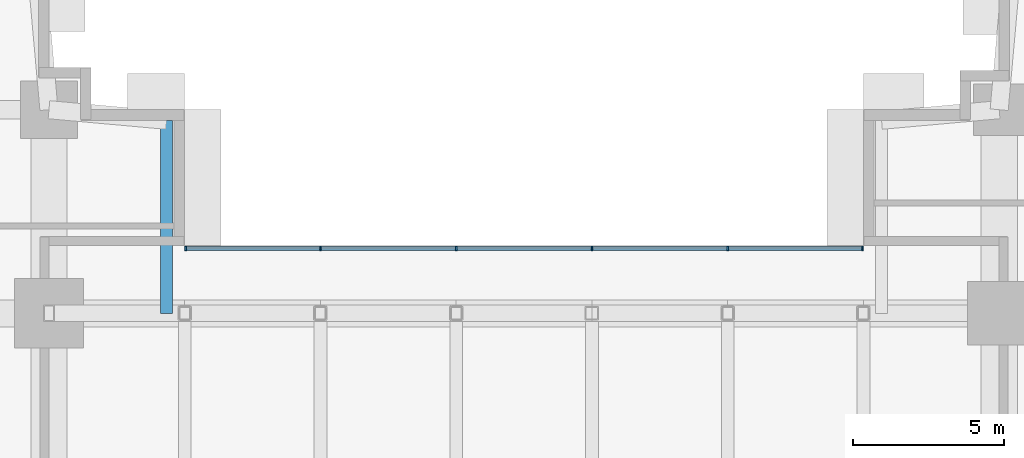
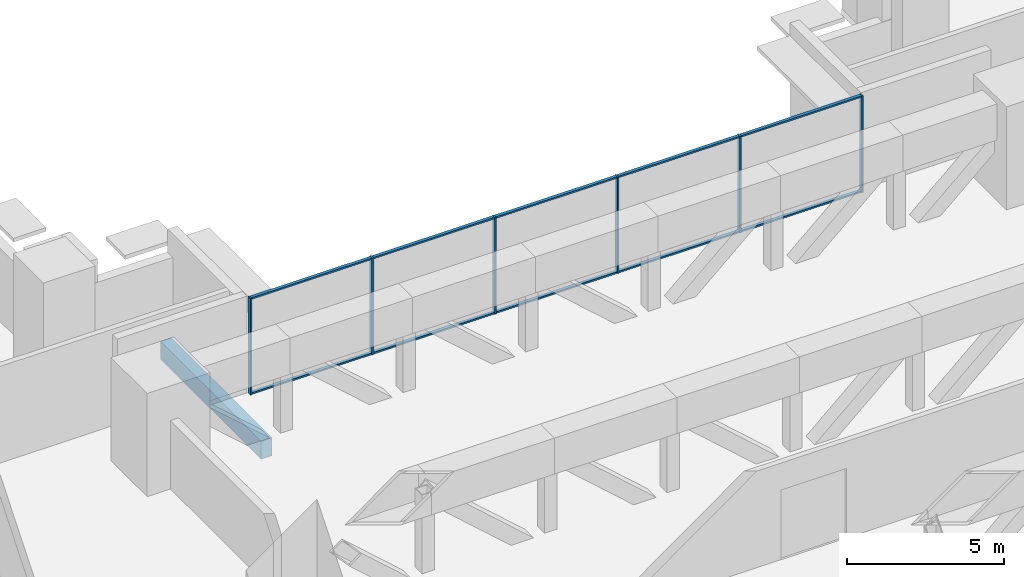
# One storey, part 4 of 15: 16 members, 1 beam, 1 element without a shape of its own.
"""IFC4 building model written with IfcOpenShell, lengths in metres."""

from ifc_helpers import new_model, si_unit, direction, frame, origin, origin_2d, place, context, subcontext, project, spatial, rectangle, extrude, material, layer, layer_set, material_profile, profile_set, type_object, element, aggregate, save


model = new_model("IFC4")

# Units and contexts
model_context = context("Model", 3, precision=1e-05, world=origin(), true_north=direction((0.0, 1.0)))
body_context = subcontext(model_context, "Body", "Model", "MODEL_VIEW")
ifc_project = project(units=[si_unit("LENGTHUNIT", "METRE"), si_unit("AREAUNIT", "SQUARE_METRE"), si_unit("VOLUMEUNIT", "CUBIC_METRE"), si_unit("PLANEANGLEUNIT", "RADIAN"), si_unit("MASSUNIT", "GRAM", prefix="KILO")], contexts=[model_context])

# Site, building, storey
site_placement = place(None, origin())
site = spatial("IfcSite", under=ifc_project, at=site_placement, CompositionType="ELEMENT")
building_placement = place(site_placement, origin())
building = spatial("IfcBuilding", under=site, at=building_placement, Name="Namib Vertical Campus", CompositionType="ELEMENT")
storey_placement = place(building_placement, frame((0.0, 0.0, 105.0)))
storey = spatial("IfcBuildingStorey", under=building, at=storey_placement, Name="L24", CompositionType="ELEMENT", Elevation=105.0)

# Curtain wall, members
ifc_material_1 = material(Name="Black aluminium curtain wall", Category="aluminium")
ifc_layer = layer(ifc_material_1, 0.199951171875)
ifc_layer_set = layer_set([ifc_layer], Name="Bridge curtain wall CW-BR")
curtain_wall_type = type_object("IfcCurtainWallType", Name="Bridge curtain wall CW-BR", PredefinedType="USERDEFINED", material=ifc_layer_set)
curtain_wall_placement = place(storey_placement, origin())
curtain_wall = element("IfcCurtainWall", 1, at=curtain_wall_placement, inside=storey, type_object=curtain_wall_type, Name="Curtain wall CW-BR L24 N", ObjectType="CURTAIN WALL", PredefinedType="USERDEFINED")
ifc_material_2 = material(Name="Black anodised aluminium", Category="aluminium")
ifc_material_profile_1 = material_profile(ifc_material_2, rectangle(XDim=0.06005859375, YDim=0.159912109375, at=origin_2d()))
ifc_profile_set_1 = profile_set([ifc_material_profile_1], Name="Black anodised aluminium")
member_type_1 = type_object("IfcMemberType", Name="Curtain wall mullion 60x160", PredefinedType="MULLION", material=ifc_profile_set_1)
member_1_placement = place(storey_placement, frame((62.969970703125, 31.39990234375, 0.0), z_axis=(0.0, 0.0, 1.0), x_axis=(-1.0, 0.0, 0.0)))
member_1 = element("IfcMember", 2, at=member_1_placement, type_object=member_type_1, Name="CW-BR mullion 1", PredefinedType="MULLION", context=body_context, shape_type="SweptSolid", body=[
    extrude(rectangle(XDim=0.06005859375, YDim=0.159912109375, at=origin_2d()), origin(), (0.0, 0.0, 1.0), 3.75),
])
member_2_placement = place(storey_placement, frame((58.5, 31.39990234375, 0.0), z_axis=(0.0, 0.0, 1.0), x_axis=(-1.0, 0.0, 0.0)))
member_2 = element("IfcMember", 3, at=member_2_placement, type_object=member_type_1, Name="CW-BR mullion 2", PredefinedType="MULLION", context=body_context, shape_type="SweptSolid", body=[
    extrude(rectangle(XDim=0.06005859375, YDim=0.159912109375, at=origin_2d()), origin(), (0.0, 0.0, 1.0), 3.75),
])
member_3_placement = place(storey_placement, frame((54.0, 31.39990234375, 0.0), z_axis=(0.0, 0.0, 1.0), x_axis=(-1.0, 0.0, 0.0)))
member_3 = element("IfcMember", 4, at=member_3_placement, type_object=member_type_1, Name="CW-BR mullion 3", PredefinedType="MULLION", context=body_context, shape_type="SweptSolid", body=[
    extrude(rectangle(XDim=0.06005859375, YDim=0.159912109375, at=origin_2d()), origin(), (0.0, 0.0, 1.0), 3.75),
])
member_4_placement = place(storey_placement, frame((49.5, 31.39990234375, 0.0), z_axis=(0.0, 0.0, 1.0), x_axis=(-1.0, 0.0, 0.0)))
member_4 = element("IfcMember", 5, at=member_4_placement, type_object=member_type_1, Name="CW-BR mullion 4", PredefinedType="MULLION", context=body_context, shape_type="SweptSolid", body=[
    extrude(rectangle(XDim=0.06005859375, YDim=0.159912109375, at=origin_2d()), origin(), (0.0, 0.0, 1.0), 3.75),
])
member_5_placement = place(storey_placement, frame((45.0, 31.39990234375, 0.0), z_axis=(0.0, 0.0, 1.0), x_axis=(-1.0, 0.0, 0.0)))
member_5 = element("IfcMember", 6, at=member_5_placement, type_object=member_type_1, Name="CW-BR mullion 5", PredefinedType="MULLION", context=body_context, shape_type="SweptSolid", body=[
    extrude(rectangle(XDim=0.06005859375, YDim=0.159912109375, at=origin_2d()), origin(), (0.0, 0.0, 1.0), 3.75),
])
member_6_placement = place(storey_placement, frame((40.530029296875, 31.39990234375, 0.0), z_axis=(0.0, 0.0, 1.0), x_axis=(-1.0, 0.0, 0.0)))
member_6 = element("IfcMember", 7, at=member_6_placement, type_object=member_type_1, Name="CW-BR mullion 6", PredefinedType="MULLION", context=body_context, shape_type="SweptSolid", body=[
    extrude(rectangle(XDim=0.06005859375, YDim=0.159912109375, at=origin_2d()), origin(), (0.0, 0.0, 1.0), 3.75),
])
ifc_material_3 = material(Name="Black anodised aluminium", Category="aluminium")
ifc_material_profile_2 = material_profile(ifc_material_3, rectangle(XDim=0.06005859375, YDim=0.1201171875, at=origin_2d()))
ifc_profile_set_2 = profile_set([ifc_material_profile_2], Name="Black anodised aluminium")
member_type_2 = type_object("IfcMemberType", Name="Curtain wall transom 60x120", PredefinedType="USERDEFINED", material=ifc_profile_set_2)
member_7_placement = place(storey_placement, frame((62.93994140625, 31.39990234375, 0.030029296875), z_axis=(-1.0, 0.0, 0.0), x_axis=(0.0, 0.0, 1.0)))
member_7 = element("IfcMember", 8, at=member_7_placement, type_object=member_type_2, Name="CW-BR transom 1.1", ObjectType="TRANSOM", PredefinedType="USERDEFINED", context=body_context, shape_type="SweptSolid", body=[
    extrude(rectangle(XDim=0.06005859375, YDim=0.1201171875, at=origin_2d()), origin(), (0.0, 0.0, 1.0), 4.409912109375),
])
member_8_placement = place(storey_placement, frame((62.93994140625, 31.39990234375, 3.719970703125), z_axis=(-1.0, 0.0, 0.0), x_axis=(0.0, 0.0, 1.0)))
member_8 = element("IfcMember", 9, at=member_8_placement, type_object=member_type_2, Name="CW-BR transom 1.2", ObjectType="TRANSOM", PredefinedType="USERDEFINED", context=body_context, shape_type="SweptSolid", body=[
    extrude(rectangle(XDim=0.06005859375, YDim=0.1201171875, at=origin_2d()), origin(), (0.0, 0.0, 1.0), 4.409912109375),
])
member_9_placement = place(storey_placement, frame((58.469970703125, 31.39990234375, 0.030029296875), z_axis=(-1.0, 0.0, 0.0), x_axis=(0.0, 0.0, 1.0)))
member_9 = element("IfcMember", 10, at=member_9_placement, type_object=member_type_2, Name="CW-BR transom 2.1", ObjectType="TRANSOM", PredefinedType="USERDEFINED", context=body_context, shape_type="SweptSolid", body=[
    extrude(rectangle(XDim=0.06005859375, YDim=0.1201171875, at=origin_2d()), origin(), (0.0, 0.0, 1.0), 4.43994140625),
])
member_10_placement = place(storey_placement, frame((58.469970703125, 31.39990234375, 3.719970703125), z_axis=(-1.0, 0.0, 0.0), x_axis=(0.0, 0.0, 1.0)))
member_10 = element("IfcMember", 11, at=member_10_placement, type_object=member_type_2, Name="CW-BR transom 2.2", ObjectType="TRANSOM", PredefinedType="USERDEFINED", context=body_context, shape_type="SweptSolid", body=[
    extrude(rectangle(XDim=0.06005859375, YDim=0.1201171875, at=origin_2d()), origin(), (0.0, 0.0, 1.0), 4.43994140625),
])
member_11_placement = place(storey_placement, frame((53.969970703125, 31.39990234375, 0.030029296875), z_axis=(-1.0, 0.0, 0.0), x_axis=(0.0, 0.0, 1.0)))
member_11 = element("IfcMember", 12, at=member_11_placement, type_object=member_type_2, Name="CW-BR transom 3.1", ObjectType="TRANSOM", PredefinedType="USERDEFINED", context=body_context, shape_type="SweptSolid", body=[
    extrude(rectangle(XDim=0.06005859375, YDim=0.1201171875, at=origin_2d()), origin(), (0.0, 0.0, 1.0), 4.43994140625),
])
member_12_placement = place(storey_placement, frame((53.969970703125, 31.39990234375, 3.719970703125), z_axis=(-1.0, 0.0, 0.0), x_axis=(0.0, 0.0, 1.0)))
member_12 = element("IfcMember", 13, at=member_12_placement, type_object=member_type_2, Name="CW-BR transom 3.2", ObjectType="TRANSOM", PredefinedType="USERDEFINED", context=body_context, shape_type="SweptSolid", body=[
    extrude(rectangle(XDim=0.06005859375, YDim=0.1201171875, at=origin_2d()), origin(), (0.0, 0.0, 1.0), 4.43994140625),
])
member_13_placement = place(storey_placement, frame((49.469970703125, 31.39990234375, 0.030029296875), z_axis=(-1.0, 0.0, 0.0), x_axis=(0.0, 0.0, 1.0)))
member_13 = element("IfcMember", 14, at=member_13_placement, type_object=member_type_2, Name="CW-BR transom 4.1", ObjectType="TRANSOM", PredefinedType="USERDEFINED", context=body_context, shape_type="SweptSolid", body=[
    extrude(rectangle(XDim=0.06005859375, YDim=0.1201171875, at=origin_2d()), origin(), (0.0, 0.0, 1.0), 4.43994140625),
])
member_14_placement = place(storey_placement, frame((49.469970703125, 31.39990234375, 3.719970703125), z_axis=(-1.0, 0.0, 0.0), x_axis=(0.0, 0.0, 1.0)))
member_14 = element("IfcMember", 15, at=member_14_placement, type_object=member_type_2, Name="CW-BR transom 4.2", ObjectType="TRANSOM", PredefinedType="USERDEFINED", context=body_context, shape_type="SweptSolid", body=[
    extrude(rectangle(XDim=0.06005859375, YDim=0.1201171875, at=origin_2d()), origin(), (0.0, 0.0, 1.0), 4.43994140625),
])
member_15_placement = place(storey_placement, frame((44.969970703125, 31.39990234375, 0.030029296875), z_axis=(-1.0, 0.0, 0.0), x_axis=(0.0, 0.0, 1.0)))
member_15 = element("IfcMember", 16, at=member_15_placement, type_object=member_type_2, Name="CW-BR transom 5.1", ObjectType="TRANSOM", PredefinedType="USERDEFINED", context=body_context, shape_type="SweptSolid", body=[
    extrude(rectangle(XDim=0.06005859375, YDim=0.1201171875, at=origin_2d()), origin(), (0.0, 0.0, 1.0), 4.409912109375),
])
member_16_placement = place(storey_placement, frame((44.969970703125, 31.39990234375, 3.719970703125), z_axis=(-1.0, 0.0, 0.0), x_axis=(0.0, 0.0, 1.0)))
member_16 = element("IfcMember", 17, at=member_16_placement, type_object=member_type_2, Name="CW-BR transom 5.2", ObjectType="TRANSOM", PredefinedType="USERDEFINED", context=body_context, shape_type="SweptSolid", body=[
    extrude(rectangle(XDim=0.06005859375, YDim=0.1201171875, at=origin_2d()), origin(), (0.0, 0.0, 1.0), 4.409912109375),
])
aggregate(curtain_wall, [member_1, member_2, member_3, member_4, member_5, member_6, member_7, member_8, member_9, member_10, member_11, member_12, member_13, member_14, member_15, member_16])

# Beam
ifc_material_4 = material(Name="Concrete C40/50", Category="concrete")
ifc_material_profile_3 = material_profile(ifc_material_4, rectangle(XDim=0.39990234375, YDim=0.699951171875, at=origin_2d()))
ifc_profile_set_3 = profile_set([ifc_material_profile_3], Name="Concrete C40/50")
beam_type = type_object("IfcBeamType", Name="Edge beam RC 400x700", PredefinedType="SPANDREL", material=ifc_profile_set_3)
beam_placement = place(storey_placement, frame((39.89990234375, 29.25, -0.60009765625), z_axis=(0.0, 1.0, 0.0), x_axis=(-1.0, 0.0, 0.0)))
element("IfcBeam", 18, at=beam_placement, inside=storey, type_object=beam_type, Name="Beam B4 L24", PredefinedType="SPANDREL", context=body_context, shape_type="SweptSolid", body=[
    extrude(rectangle(XDim=0.39990234375, YDim=0.699951171875, at=origin_2d()), origin(), (0.0, 0.0, 1.0), 6.39990234375),
])

save(model, "model.ifc")
